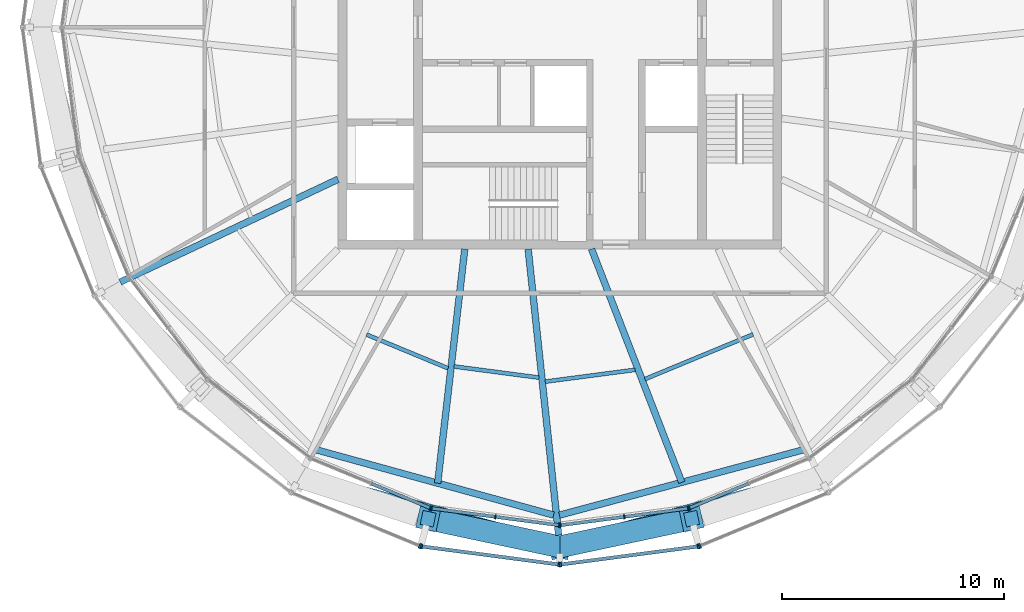
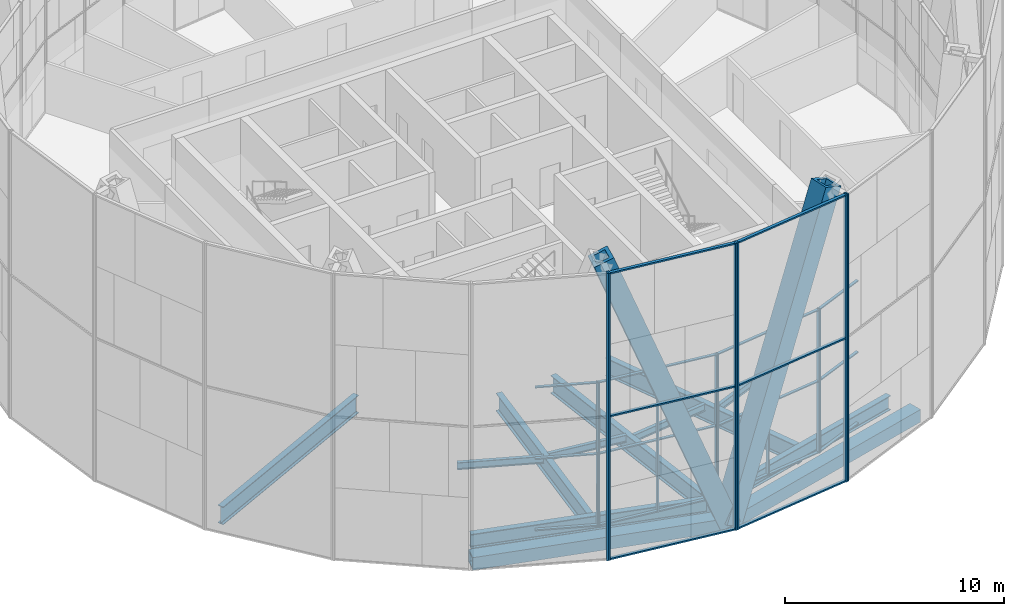
# One storey, part 2 of 22: 40 members, 12 beams, 8 elements without a shape of their own.
"""IFC4 building model written with IfcOpenShell, lengths in metres."""

import ifcopenshell
import ifcopenshell.guid

model = None  # the IFC model being written
_history = None  # IfcOwnerHistory: only IFC2X3 demands one
_inside = {}  # id of a spatial element -> (the spatial element, [elements in it])
_under = {}  # id of a project, library or spatial element -> (it, [spatial elements below it])
_declared = {}  # id of a project -> (the project, [libraries it declares])
_typed = {}  # id of a type object -> (the type object, [elements of that type])
_made_of = {}  # id of a material, layer set ... -> (it, [elements and type objects made of it])


def new_model(schema):
    """Start an empty IFC model of exactly this schema.

    Asked for "IFC4X3", IfcOpenShell would pick the latest addendum, in which some entities
    have other attributes; the version numbers below select the first issue.
    IFC2X3 requires an IfcOwnerHistory on every rooted entity: one is made here for all.
    """
    global model, _history
    if schema == "IFC4X3":
        model = ifcopenshell.file(schema_version=(4, 3, 0, 0))
    else:
        model = ifcopenshell.file(schema=schema)
    _inside.clear()
    _under.clear()
    _declared.clear()
    _typed.clear()
    _made_of.clear()
    _history = None
    if model.schema == "IFC2X3":
        org = make("IfcOrganization", Name="unknown")
        user = make(
            "IfcPersonAndOrganization",
            ThePerson=make("IfcPerson", FamilyName="unknown"),
            TheOrganization=org,
        )
        app = make(
            "IfcApplication",
            ApplicationDeveloper=org,
            Version="unknown",
            ApplicationFullName="unknown",
            ApplicationIdentifier="unknown",
        )
        _history = make(
            "IfcOwnerHistory",
            OwningUser=user,
            OwningApplication=app,
            ChangeAction="ADDED",
            CreationDate=0,
        )
    return model


def make(cls, **values):
    """One entity of the class cls with the attributes given. An attribute that is None is left unset."""
    return model.create_entity(
        cls, **{name: value for name, value in values.items() if value is not None}
    )


def rooted(cls, **values):
    """An entity with a GlobalId (a new one), such as an element, a storey or a relation."""
    return make(cls, GlobalId=ifcopenshell.guid.new(), OwnerHistory=_history, **values)


def si_unit(unit_type, name, prefix=None):
    """IfcSIUnit, for example si_unit("LENGTHUNIT", "METRE", prefix="MILLI")."""
    return make("IfcSIUnit", UnitType=unit_type, Prefix=prefix, Name=name)


def assignment(units):
    """IfcUnitAssignment: the units of a project."""
    return None if units is None else make("IfcUnitAssignment", Units=units)


def point(xyz):
    """IfcCartesianPoint."""
    return None if xyz is None else make("IfcCartesianPoint", Coordinates=xyz)


def direction(xyz):
    """IfcDirection."""
    return None if xyz is None else make("IfcDirection", DirectionRatios=xyz)


def frame(location, z_axis=None, x_axis=None):
    """IfcAxis2Placement3D, a coordinate frame: its origin and axes. An axis left out is left unset."""
    return make(
        "IfcAxis2Placement3D",
        Location=point(location),
        Axis=direction(z_axis),
        RefDirection=direction(x_axis),
    )


def frame_2d(location, x_axis=None):
    """IfcAxis2Placement2D, a coordinate frame in the plane: its origin and x axis."""
    return make(
        "IfcAxis2Placement2D", Location=point(location), RefDirection=direction(x_axis)
    )


def origin():
    """The frame at (0, 0, 0) with its axes left unset."""
    return frame((0.0, 0.0, 0.0))


def origin_2d():
    """The frame at (0, 0) in the plane with its x axis left unset."""
    return frame_2d((0.0, 0.0))


def place(relative_to, where):
    """IfcLocalPlacement: puts the frame where relative to a parent placement (None: the world)."""
    return make(
        "IfcLocalPlacement", PlacementRelTo=relative_to, RelativePlacement=where
    )


def context(
    kind, dimensions, precision=None, world=None, true_north=None, identifier=None
):
    """IfcGeometricRepresentationContext, for example the 3D "Model" context."""
    return make(
        "IfcGeometricRepresentationContext",
        ContextIdentifier=identifier,
        ContextType=kind,
        CoordinateSpaceDimension=dimensions,
        Precision=precision,
        WorldCoordinateSystem=world,
        TrueNorth=true_north,
    )


def subcontext(parent, identifier, kind, view, scale=None):
    """IfcGeometricRepresentationSubContext, for example "Body" below "Model"."""
    return make(
        "IfcGeometricRepresentationSubContext",
        ContextIdentifier=identifier,
        ContextType=kind,
        ParentContext=parent,
        TargetScale=scale,
        TargetView=view,
    )


def project(units=None, contexts=None):
    """IfcProject with its units and contexts."""
    return rooted(
        "IfcProject",
        Name="project",
        RepresentationContexts=contexts,
        UnitsInContext=assignment(units),
    )


def spatial(cls, under=None, at=None, **own):
    """A site, building, storey or space (cls), placed at a placement, below another one or the project."""
    s = rooted(cls, ObjectPlacement=at, **own)
    if under is not None:
        _under.setdefault(under.id(), (under, []))[1].append(s)
    return s


def profile(cls, at=None, kind="AREA", **sizes):
    """A parametric profile (cls). Its sizes go by their IFC names, for example OverallWidth=200.0."""
    return make(cls, ProfileType=kind, Position=at, **sizes)


def rectangle(**sizes):
    """IfcRectangleProfileDef."""
    return profile("IfcRectangleProfileDef", **sizes)


def hollow_rectangle(**sizes):
    """IfcRectangleHollowProfileDef."""
    return profile("IfcRectangleHollowProfileDef", **sizes)


def i_section(**sizes):
    """IfcIShapeProfileDef."""
    return profile("IfcIShapeProfileDef", **sizes)


def extrude(swept, where, along, depth):
    """IfcExtrudedAreaSolid: the profile swept, set in the frame where, extruded along a direction by depth."""
    return make(
        "IfcExtrudedAreaSolid",
        SweptArea=swept,
        Position=where,
        ExtrudedDirection=direction(along),
        Depth=depth,
    )


def shape(context_of_items, identifier, shape_type, items):
    """IfcShapeRepresentation: the items that make up one representation, for example the "Body"."""
    return make(
        "IfcShapeRepresentation",
        ContextOfItems=context_of_items,
        RepresentationIdentifier=identifier,
        RepresentationType=shape_type,
        Items=items,
    )


def material(Name=None, Category=None):
    """IfcMaterial."""
    return make("IfcMaterial", Name=Name, Category=Category)


def material_profile(
    of_material, cross_section, Name=None, Category=None, Priority=None
):
    """IfcMaterialProfile: a cross section and its material."""
    return make(
        "IfcMaterialProfile",
        Name=Name,
        Material=of_material,
        Profile=cross_section,
        Priority=Priority,
        Category=Category,
    )


def profile_set(profiles, Name=None, composite=None):
    """IfcMaterialProfileSet."""
    return make(
        "IfcMaterialProfileSet",
        Name=Name,
        MaterialProfiles=profiles,
        CompositeProfile=composite,
    )


def made_of(thing, what):
    """Note that an element or type object is made of a material, layer set ...; save() writes the relation."""
    if what is not None:
        _made_of.setdefault(what.id(), (what, []))[1].append(thing)
    return thing


def type_object(cls, material=None, **own):
    """A type object (cls), such as IfcWallType, which elements share."""
    return made_of(rooted(cls, **own), material)


def element(
    cls,
    number,
    at=None,
    inside=None,
    cuts=None,
    type_object=None,
    material=None,
    context=None,
    identifier="Body",
    shape_type=None,
    held_by="IfcProductDefinitionShape",
    body=None,
    shapes=None,
    **own,
):
    """One element of the class cls, such as IfcWall. Its Tag is "e" and its number.

    at: its placement. inside: the storey or other place that contains it. cuts: it is an
    opening in that element (IfcRelVoidsElement). A single representation is given by context,
    identifier, shape_type and body (its items); several are given by shapes. held_by: the class
    of the entity that holds the representations. save() writes the other relations.
    """
    e = rooted(cls, Tag="e%d" % number, ObjectPlacement=at, **own)
    if body is not None:
        shapes = [shape(context, identifier, shape_type, body)]
    if shapes is not None:
        e.Representation = make(held_by, Representations=shapes)
    if inside is not None:
        _inside.setdefault(inside.id(), (inside, []))[1].append(e)
    if cuts is not None:
        rooted(
            "IfcRelVoidsElement", RelatingBuildingElement=cuts, RelatedOpeningElement=e
        )
    if type_object is not None:
        _typed.setdefault(type_object.id(), (type_object, []))[1].append(e)
    return made_of(e, material)


def aggregate(whole, parts):
    """IfcRelAggregates: a whole, such as a stair, and the parts it consists of."""
    return rooted("IfcRelAggregates", RelatingObject=whole, RelatedObjects=parts)


def save(model, path):
    """Write the relations noted so far, then the file.

    IfcRelAggregates (storeys below a building ...), IfcRelContainedInSpatialStructure (elements
    in a storey), IfcRelDefinesByType, IfcRelAssociatesMaterial and IfcRelDeclares: one each for
    every whole, place, type object, material and project.
    """
    for whole, parts in _under.values():
        aggregate(whole, parts)
    for where, things in _inside.values():
        rooted(
            "IfcRelContainedInSpatialStructure",
            RelatedElements=things,
            RelatingStructure=where,
        )
    for kind, things in _typed.values():
        rooted("IfcRelDefinesByType", RelatedObjects=things, RelatingType=kind)
    for what, things in _made_of.values():
        rooted("IfcRelAssociatesMaterial", RelatedObjects=things, RelatingMaterial=what)
    for by, libraries in _declared.values():
        rooted("IfcRelDeclares", RelatingContext=by, RelatedDefinitions=libraries)
    model.write(path)


model = new_model("IFC4")

# Units and contexts
model_context = context("Model", 3, precision=1e-05, world=origin(), true_north=direction((0.0, 1.0)))
body_context = subcontext(model_context, "Body", "Model", "MODEL_VIEW")
ifc_project = project(units=[si_unit("LENGTHUNIT", "METRE"), si_unit("AREAUNIT", "SQUARE_METRE"), si_unit("VOLUMEUNIT", "CUBIC_METRE"), si_unit("PLANEANGLEUNIT", "RADIAN"), si_unit("MASSUNIT", "GRAM", prefix="KILO")], contexts=[model_context])

# Site, building, storey
site_placement = place(None, origin())
site = spatial("IfcSite", under=ifc_project, at=site_placement, CompositionType="ELEMENT")
building_placement = place(site_placement, origin())
building = spatial("IfcBuilding", under=site, at=building_placement, Name="Golbaran Civic Tower", CompositionType="ELEMENT")
storey_placement = place(building_placement, frame((0.0, 0.0, 248.0)))
storey = spatial("IfcBuildingStorey", under=building, at=storey_placement, Name="L60", CompositionType="ELEMENT", Elevation=248.0)

# Members
ifc_material_1 = material(Name="Steel S355", Category="steel")
ifc_material_profile_1 = material_profile(ifc_material_1, hollow_rectangle(XDim=1.0, YDim=1.0, WallThickness=0.179931640625, at=origin_2d()), Name="BOX 1000x1000x180")
ifc_profile_set_1 = profile_set([ifc_material_profile_1], Name="Steel S355")
member_type_1 = type_object("IfcMemberType", Name="DIAGRID DIAGONAL BOX 1000x1000x180", PredefinedType="BRACE", material=ifc_profile_set_1)
for number, where, z_axis, x_axis, name in (
    (1, (0.0, -23.423095703125, -0.7099609375), (0.346918780994, 0.07401466611, 0.934970153852), (-0.208652833004, 0.977989772584, 0.0), "Diagonal D14-09R L60-L64"),
    (2, (0.0, -23.423095703125, -0.7099609375), (-0.346918780994, 0.07401466611, 0.934970153852), (-0.208652833004, -0.977989772584, 0.0), "Diagonal D14-09L L60-L64"),
):
    element("IfcMember", number, at=place(storey_placement, frame(where, z_axis=z_axis, x_axis=x_axis)), inside=storey, type_object=member_type_1, Name=name, PredefinedType="BRACE", context=body_context, shape_type="SweptSolid", body=[
        extrude(hollow_rectangle(XDim=1.0, YDim=1.0, WallThickness=0.179931640625, at=origin_2d()), origin(), (0.0, 0.0, 1.0), 17.11279296875),
    ])

# Beams
ifc_material_profile_2 = material_profile(ifc_material_1, hollow_rectangle(XDim=0.699951171875, YDim=0.699951171875, WallThickness=0.080078125, at=origin_2d()), Name="BOX 700x700x80")
ifc_profile_set_2 = profile_set([ifc_material_profile_2], Name="Steel S355")
beam_type_1 = type_object("IfcBeamType", Name="DIAGRID RING TIE BOX 700x700x80", PredefinedType="BEAM", material=ifc_profile_set_2)
for number, where, z_axis, x_axis, name in (
    (3, (-11.71142578125, -20.284912109375, -0.7099609375), (0.965923423827, -0.258828011046, 0.0), (0.258828011046, 0.965923423827, 0.0), "Ring tie 240.00 L60"),
    (4, (0.0, -23.423095703125, -0.7099609375), (0.965923423827, 0.258828011046, 0.0), (-0.258828011046, 0.965923423827, 0.0), "Ring tie 270.00 L60"),
):
    element("IfcBeam", number, at=place(storey_placement, frame(where, z_axis=z_axis, x_axis=x_axis)), inside=storey, type_object=beam_type_1, Name=name, PredefinedType="BEAM", context=body_context, shape_type="SweptSolid", body=[
        extrude(hollow_rectangle(XDim=0.699951171875, YDim=0.699951171875, WallThickness=0.080078125, at=origin_2d()), origin(), (0.0, 0.0, 1.0), 12.12451171875),
    ])
ifc_material_profile_3 = material_profile(ifc_material_1, i_section(OverallWidth=0.300048828125, OverallDepth=0.800048828125, WebThickness=0.017578125, FlangeThickness=0.032958984375, FilletRadius=0.030029296875, at=origin_2d()), Name="HEB 800")
ifc_profile_set_3 = profile_set([ifc_material_profile_3], Name="Steel S355")
beam_type_2 = type_object("IfcBeamType", Name="EDGE BEAM HEB 800", PredefinedType="BEAM", material=ifc_profile_set_3)
beam_1_placement = place(storey_placement, frame((-11.015869140625, -19.0390625, -0.60009765625), z_axis=(0.964163607289, -0.265308383544, 0.0), x_axis=(0.265308383544, 0.964163607289, 0.0)))
element("IfcBeam", 5, at=beam_1_placement, inside=storey, type_object=beam_type_2, Name="Edge beam 240.00 L60", PredefinedType="BEAM", context=body_context, shape_type="SweptSolid", body=[
    extrude(i_section(OverallWidth=0.300048828125, OverallDepth=0.800048828125, WebThickness=0.017578125, FlangeThickness=0.032958984375, FilletRadius=0.030029296875, at=origin_2d()), origin(), (0.0, 0.0, 1.0), 11.1318359375),
])
beam_2_placement = place(storey_placement, frame((-0.021240234375, -21.995361328125, -0.60009765625), z_axis=(0.965930693555, 0.258800879537, 0.0), x_axis=(-0.258800879537, 0.965930693555, 0.0)))
element("IfcBeam", 6, at=beam_2_placement, inside=storey, type_object=beam_type_2, Name="Edge beam 270.00 L60", PredefinedType="BEAM", context=body_context, shape_type="SweptSolid", body=[
    extrude(i_section(OverallWidth=0.300048828125, OverallDepth=0.800048828125, WebThickness=0.017578125, FlangeThickness=0.032958984375, FilletRadius=0.030029296875, at=origin_2d()), origin(), (0.0, 0.0, 1.0), 11.42578125),
])
ifc_material_profile_4 = material_profile(ifc_material_1, i_section(OverallWidth=0.179931640625, OverallDepth=0.39990234375, WebThickness=0.008544921875, FlangeThickness=0.013427734375, FilletRadius=0.02099609375, at=origin_2d()), Name="IPE 400")
ifc_profile_set_4 = profile_set([ifc_material_profile_4], Name="Steel S355")
beam_type_3 = type_object("IfcBeamType", Name="FLOOR INFILL BEAM IPE 400", PredefinedType="BEAM", material=ifc_profile_set_4)
beam_3_placement = place(storey_placement, frame((-8.712890625, -13.8544921875, -0.39990234375), z_axis=(0.923881392468, -0.382678942002, 0.0), x_axis=(0.382678942002, 0.923881392468, 0.0)))
element("IfcBeam", 7, at=beam_3_placement, inside=storey, type_object=beam_type_3, Name="Infill beam 247.50 L60", PredefinedType="BEAM", context=body_context, shape_type="SweptSolid", body=[
    extrude(i_section(OverallWidth=0.179931640625, OverallDepth=0.39990234375, WebThickness=0.008544921875, FlangeThickness=0.013427734375, FilletRadius=0.02099609375, at=origin_2d()), origin(), (0.0, 0.0, 1.0), 3.9765625),
])
beam_4_placement = place(storey_placement, frame((-4.767578125, -15.29296875, -0.39990234375), z_axis=(0.991450849113, -0.130480702762, 0.0), x_axis=(0.130480702762, 0.991450849113, 0.0)))
element("IfcBeam", 8, at=beam_4_placement, inside=storey, type_object=beam_type_3, Name="Infill beam 262.50 L60", PredefinedType="BEAM", context=body_context, shape_type="SweptSolid", body=[
    extrude(i_section(OverallWidth=0.179931640625, OverallDepth=0.39990234375, WebThickness=0.008544921875, FlangeThickness=0.013427734375, FilletRadius=0.02099609375, at=origin_2d()), origin(), (0.0, 0.0, 1.0), 3.858154296875),
])
beam_5_placement = place(storey_placement, frame((-0.66162109375, -15.97802734375, -0.39990234375), z_axis=(0.991443326473, 0.130537850423, 0.0), x_axis=(-0.130537850423, 0.991443326473, 0.0)))
element("IfcBeam", 9, at=beam_5_placement, inside=storey, type_object=beam_type_3, Name="Infill beam 277.50 L60", PredefinedType="BEAM", context=body_context, shape_type="SweptSolid", body=[
    extrude(i_section(OverallWidth=0.179931640625, OverallDepth=0.39990234375, WebThickness=0.008544921875, FlangeThickness=0.013427734375, FilletRadius=0.02099609375, at=origin_2d()), origin(), (0.0, 0.0, 1.0), 4.092041015625),
])
beam_6_placement = place(storey_placement, frame((3.83642578125, -15.86328125, -0.39990234375), z_axis=(0.92388706237, 0.382665253172, 0.0), x_axis=(-0.382665253172, 0.92388706237, 0.0)))
element("IfcBeam", 10, at=beam_6_placement, inside=storey, type_object=beam_type_3, Name="Infill beam 292.50 L60", PredefinedType="BEAM", context=body_context, shape_type="SweptSolid", body=[
    extrude(i_section(OverallWidth=0.179931640625, OverallDepth=0.39990234375, WebThickness=0.008544921875, FlangeThickness=0.013427734375, FilletRadius=0.02099609375, at=origin_2d()), origin(), (0.0, 0.0, 1.0), 5.273681640625),
])

# Curtain wall, member
ifc_material_2 = material(Name="Aluminium and glass", Category="aluminium")
curtain_wall_type_1 = type_object("IfcCurtainWallType", Name="INNER SKIN CURTAIN WALL EXECUTIVE", PredefinedType="NOTDEFINED", material=ifc_material_2)
curtain_wall_1_placement = place(storey_placement, origin())
curtain_wall_1 = element("IfcCurtainWall", 11, at=curtain_wall_1_placement, inside=storey, type_object=curtain_wall_type_1, Name="Inner skin L60 facet 17 CW2", ObjectType="INNER SKIN", PredefinedType="USERDEFINED")
ifc_material_3 = material(Name="Aluminium", Category="aluminium")
ifc_material_profile_5 = material_profile(ifc_material_3, rectangle(XDim=0.199951171875, YDim=0.06005859375, at=origin_2d()), Name="INNER SKIN CURTAIN WALL EXECUTIVE MULLION")
ifc_profile_set_5 = profile_set([ifc_material_profile_5], Name="Aluminium")
member_type_2 = type_object("IfcMemberType", Name="INNER SKIN CURTAIN WALL EXECUTIVE MULLION", PredefinedType="MULLION", material=ifc_profile_set_5)
member_1_placement = place(storey_placement, frame((-5.838623046875, -21.675537109375, 0.0), z_axis=(0.0, 0.0, 1.0), x_axis=(0.382683432381, 0.923879532505, 0.0)))
member_1 = element("IfcMember", 12, at=member_1_placement, type_object=member_type_2, Name="CW2 mullion 3", PredefinedType="MULLION", context=body_context, shape_type="SweptSolid", body=[
    extrude(rectangle(XDim=0.199951171875, YDim=0.06005859375, at=origin_2d()), origin(), (0.0, 0.0, 1.0), 8.0),
])

# Curtain wall, members
curtain_wall_2_placement = place(storey_placement, origin())
curtain_wall_2 = element("IfcCurtainWall", 13, at=curtain_wall_2_placement, inside=storey, type_object=curtain_wall_type_1, Name="Inner skin L60 facet 18 CW2", ObjectType="INNER SKIN", PredefinedType="USERDEFINED")
member_2_placement = place(storey_placement, frame((-5.78125, -21.69091796875, 0.0), z_axis=(0.0, 0.0, 1.0), x_axis=(0.130526192185, 0.991444861378, 0.0)))
member_2 = element("IfcMember", 14, at=member_2_placement, type_object=member_type_2, Name="CW2 mullion 1", PredefinedType="MULLION", context=body_context, shape_type="SweptSolid", body=[
    extrude(rectangle(XDim=0.199951171875, YDim=0.06005859375, at=origin_2d()), origin(), (0.0, 0.0, 1.0), 8.0),
])
member_3_placement = place(storey_placement, frame((-2.905517578125, -22.069580078125, 0.0), z_axis=(0.0, 0.0, 1.0), x_axis=(0.130526192185, 0.991444861378, 0.0)))
member_3 = element("IfcMember", 15, at=member_3_placement, type_object=member_type_2, Name="CW2 mullion 2", PredefinedType="MULLION", context=body_context, shape_type="SweptSolid", body=[
    extrude(rectangle(XDim=0.199951171875, YDim=0.06005859375, at=origin_2d()), origin(), (0.0, 0.0, 1.0), 8.0),
])
member_4_placement = place(storey_placement, frame((-0.02978515625, -22.447998046875, 0.0), z_axis=(0.0, 0.0, 1.0), x_axis=(0.130526192185, 0.991444861378, 0.0)))
member_4 = element("IfcMember", 16, at=member_4_placement, type_object=member_type_2, Name="CW2 mullion 3", PredefinedType="MULLION", context=body_context, shape_type="SweptSolid", body=[
    extrude(rectangle(XDim=0.199951171875, YDim=0.06005859375, at=origin_2d()), origin(), (0.0, 0.0, 1.0), 8.0),
])

curtain_wall_3_placement = place(storey_placement, origin())
curtain_wall_3 = element("IfcCurtainWall", 17, at=curtain_wall_3_placement, inside=storey, type_object=curtain_wall_type_1, Name="Inner skin L60 facet 19 CW2", ObjectType="INNER SKIN", PredefinedType="USERDEFINED")
member_5_placement = place(storey_placement, frame((0.02978515625, -22.447998046875, 0.0), z_axis=(0.0, 0.0, 1.0), x_axis=(-0.130526192185, 0.991444861378, 0.0)))
member_5 = element("IfcMember", 18, at=member_5_placement, type_object=member_type_2, Name="CW2 mullion 1", PredefinedType="MULLION", context=body_context, shape_type="SweptSolid", body=[
    extrude(rectangle(XDim=0.199951171875, YDim=0.06005859375, at=origin_2d()), origin(), (0.0, 0.0, 1.0), 8.0),
])
member_6_placement = place(storey_placement, frame((2.905517578125, -22.069580078125, 0.0), z_axis=(0.0, 0.0, 1.0), x_axis=(-0.130526192185, 0.991444861378, 0.0)))
member_6 = element("IfcMember", 19, at=member_6_placement, type_object=member_type_2, Name="CW2 mullion 2", PredefinedType="MULLION", context=body_context, shape_type="SweptSolid", body=[
    extrude(rectangle(XDim=0.199951171875, YDim=0.06005859375, at=origin_2d()), origin(), (0.0, 0.0, 1.0), 8.0),
])
member_7_placement = place(storey_placement, frame((5.78125, -21.69091796875, 0.0), z_axis=(0.0, 0.0, 1.0), x_axis=(-0.130526192185, 0.991444861378, 0.0)))
member_7 = element("IfcMember", 20, at=member_7_placement, type_object=member_type_2, Name="CW2 mullion 3", PredefinedType="MULLION", context=body_context, shape_type="SweptSolid", body=[
    extrude(rectangle(XDim=0.199951171875, YDim=0.06005859375, at=origin_2d()), origin(), (0.0, 0.0, 1.0), 8.0),
])

# Curtain wall, member
curtain_wall_4_placement = place(storey_placement, origin())
curtain_wall_4 = element("IfcCurtainWall", 21, at=curtain_wall_4_placement, inside=storey, type_object=curtain_wall_type_1, Name="Inner skin L60 facet 20 CW2", ObjectType="INNER SKIN", PredefinedType="USERDEFINED")
member_8_placement = place(storey_placement, frame((5.838623046875, -21.675537109375, 0.0), z_axis=(0.0, 0.0, 1.0), x_axis=(-0.382683432381, 0.923879532505, 0.0)))
member_8 = element("IfcMember", 22, at=member_8_placement, type_object=member_type_2, Name="CW2 mullion 1", PredefinedType="MULLION", context=body_context, shape_type="SweptSolid", body=[
    extrude(rectangle(XDim=0.199951171875, YDim=0.06005859375, at=origin_2d()), origin(), (0.0, 0.0, 1.0), 8.0),
])

# Member
ifc_material_profile_6 = material_profile(ifc_material_3, rectangle(XDim=0.14990234375, YDim=0.06005859375, at=origin_2d()), Name="INNER SKIN CURTAIN WALL EXECUTIVE TRANSOM")
ifc_profile_set_6 = profile_set([ifc_material_profile_6], Name="Aluminium")
member_type_3 = type_object("IfcMemberType", Name="INNER SKIN CURTAIN WALL EXECUTIVE TRANSOM", PredefinedType="USERDEFINED", material=ifc_profile_set_6)
member_9_placement = place(storey_placement, frame((-8.49072265625, -20.576904296875, 0.030029296875), z_axis=(0.923860739284, -0.382728800078, 0.0), x_axis=(0.382728800078, 0.923860739284, 0.0)))
member_9 = element("IfcMember", 23, at=member_9_placement, type_object=member_type_3, Name="CW2 transom 2.1", ObjectType="TRANSOM", PredefinedType="USERDEFINED", context=body_context, shape_type="SweptSolid", body=[
    extrude(rectangle(XDim=0.14990234375, YDim=0.06005859375, at=origin_2d()), origin(), (0.0, 0.0, 1.0), 2.840576171875),
])

member_10_placement = place(storey_placement, frame((-8.49072265625, -20.576904296875, 4.0), z_axis=(0.923860739284, -0.382728800078, 0.0), x_axis=(0.382728800078, 0.923860739284, 0.0)))
member_10 = element("IfcMember", 24, at=member_10_placement, type_object=member_type_3, Name="CW2 transom 2.2", ObjectType="TRANSOM", PredefinedType="USERDEFINED", context=body_context, shape_type="SweptSolid", body=[
    extrude(rectangle(XDim=0.14990234375, YDim=0.06005859375, at=origin_2d()), origin(), (0.0, 0.0, 1.0), 2.840576171875),
])

member_11_placement = place(storey_placement, frame((-8.49072265625, -20.576904296875, 7.969970703125), z_axis=(0.923860739284, -0.382728800078, 0.0), x_axis=(0.382728800078, 0.923860739284, 0.0)))
member_11 = element("IfcMember", 25, at=member_11_placement, type_object=member_type_3, Name="CW2 transom 2.3", ObjectType="TRANSOM", PredefinedType="USERDEFINED", context=body_context, shape_type="SweptSolid", body=[
    extrude(rectangle(XDim=0.14990234375, YDim=0.06005859375, at=origin_2d()), origin(), (0.0, 0.0, 1.0), 2.840576171875),
])

aggregate(curtain_wall_1, [member_1, member_9, member_10, member_11])

member_12_placement = place(storey_placement, frame((-5.75146484375, -21.69482421875, 0.030029296875), z_axis=(0.991440540275, -0.130559010028, 0.0), x_axis=(0.130559010028, 0.991440540275, 0.0)))
member_12 = element("IfcMember", 26, at=member_12_placement, type_object=member_type_3, Name="CW2 transom 1.1", ObjectType="TRANSOM", PredefinedType="USERDEFINED", context=body_context, shape_type="SweptSolid", body=[
    extrude(rectangle(XDim=0.14990234375, YDim=0.06005859375, at=origin_2d()), origin(), (0.0, 0.0, 1.0), 2.840576171875),
])

member_13_placement = place(storey_placement, frame((-5.75146484375, -21.69482421875, 4.0), z_axis=(0.991440540275, -0.130559010028, 0.0), x_axis=(0.130559010028, 0.991440540275, 0.0)))
member_13 = element("IfcMember", 27, at=member_13_placement, type_object=member_type_3, Name="CW2 transom 1.2", ObjectType="TRANSOM", PredefinedType="USERDEFINED", context=body_context, shape_type="SweptSolid", body=[
    extrude(rectangle(XDim=0.14990234375, YDim=0.06005859375, at=origin_2d()), origin(), (0.0, 0.0, 1.0), 2.840576171875),
])

member_14_placement = place(storey_placement, frame((-5.75146484375, -21.69482421875, 7.969970703125), z_axis=(0.991440540275, -0.130559010028, 0.0), x_axis=(0.130559010028, 0.991440540275, 0.0)))
member_14 = element("IfcMember", 28, at=member_14_placement, type_object=member_type_3, Name="CW2 transom 1.3", ObjectType="TRANSOM", PredefinedType="USERDEFINED", context=body_context, shape_type="SweptSolid", body=[
    extrude(rectangle(XDim=0.14990234375, YDim=0.06005859375, at=origin_2d()), origin(), (0.0, 0.0, 1.0), 2.840576171875),
])

member_15_placement = place(storey_placement, frame((-2.875732421875, -22.073486328125, 0.030029296875), z_axis=(0.991451662378, -0.130474523059, 0.0), x_axis=(0.130474523059, 0.991451662378, 0.0)))
member_15 = element("IfcMember", 29, at=member_15_placement, type_object=member_type_3, Name="CW2 transom 2.1", ObjectType="TRANSOM", PredefinedType="USERDEFINED", context=body_context, shape_type="SweptSolid", body=[
    extrude(rectangle(XDim=0.14990234375, YDim=0.06005859375, at=origin_2d()), origin(), (0.0, 0.0, 1.0), 2.84033203125),
])

member_16_placement = place(storey_placement, frame((-2.875732421875, -22.073486328125, 4.0), z_axis=(0.991451662378, -0.130474523059, 0.0), x_axis=(0.130474523059, 0.991451662378, 0.0)))
member_16 = element("IfcMember", 30, at=member_16_placement, type_object=member_type_3, Name="CW2 transom 2.2", ObjectType="TRANSOM", PredefinedType="USERDEFINED", context=body_context, shape_type="SweptSolid", body=[
    extrude(rectangle(XDim=0.14990234375, YDim=0.06005859375, at=origin_2d()), origin(), (0.0, 0.0, 1.0), 2.84033203125),
])

member_17_placement = place(storey_placement, frame((-2.875732421875, -22.073486328125, 7.969970703125), z_axis=(0.991451662378, -0.130474523059, 0.0), x_axis=(0.130474523059, 0.991451662378, 0.0)))
member_17 = element("IfcMember", 31, at=member_17_placement, type_object=member_type_3, Name="CW2 transom 2.3", ObjectType="TRANSOM", PredefinedType="USERDEFINED", context=body_context, shape_type="SweptSolid", body=[
    extrude(rectangle(XDim=0.14990234375, YDim=0.06005859375, at=origin_2d()), origin(), (0.0, 0.0, 1.0), 2.84033203125),
])

aggregate(curtain_wall_2, [member_2, member_3, member_4, member_12, member_13, member_14, member_15, member_16, member_17])

member_18_placement = place(storey_placement, frame((0.0595703125, -22.444091796875, 0.030029296875), z_axis=(0.991451662378, 0.130474523059, 0.0), x_axis=(-0.130474523059, 0.991451662378, 0.0)))
member_18 = element("IfcMember", 32, at=member_18_placement, type_object=member_type_3, Name="CW2 transom 1.1", ObjectType="TRANSOM", PredefinedType="USERDEFINED", context=body_context, shape_type="SweptSolid", body=[
    extrude(rectangle(XDim=0.14990234375, YDim=0.06005859375, at=origin_2d()), origin(), (0.0, 0.0, 1.0), 2.84033203125),
])

member_19_placement = place(storey_placement, frame((0.0595703125, -22.444091796875, 4.0), z_axis=(0.991451662378, 0.130474523059, 0.0), x_axis=(-0.130474523059, 0.991451662378, 0.0)))
member_19 = element("IfcMember", 33, at=member_19_placement, type_object=member_type_3, Name="CW2 transom 1.2", ObjectType="TRANSOM", PredefinedType="USERDEFINED", context=body_context, shape_type="SweptSolid", body=[
    extrude(rectangle(XDim=0.14990234375, YDim=0.06005859375, at=origin_2d()), origin(), (0.0, 0.0, 1.0), 2.84033203125),
])

member_20_placement = place(storey_placement, frame((0.0595703125, -22.444091796875, 7.969970703125), z_axis=(0.991451662378, 0.130474523059, 0.0), x_axis=(-0.130474523059, 0.991451662378, 0.0)))
member_20 = element("IfcMember", 34, at=member_20_placement, type_object=member_type_3, Name="CW2 transom 1.3", ObjectType="TRANSOM", PredefinedType="USERDEFINED", context=body_context, shape_type="SweptSolid", body=[
    extrude(rectangle(XDim=0.14990234375, YDim=0.06005859375, at=origin_2d()), origin(), (0.0, 0.0, 1.0), 2.84033203125),
])

member_21_placement = place(storey_placement, frame((2.935302734375, -22.065673828125, 0.030029296875), z_axis=(0.991440540275, 0.130559010028, 0.0), x_axis=(-0.130559010028, 0.991440540275, 0.0)))
member_21 = element("IfcMember", 35, at=member_21_placement, type_object=member_type_3, Name="CW2 transom 2.1", ObjectType="TRANSOM", PredefinedType="USERDEFINED", context=body_context, shape_type="SweptSolid", body=[
    extrude(rectangle(XDim=0.14990234375, YDim=0.06005859375, at=origin_2d()), origin(), (0.0, 0.0, 1.0), 2.840576171875),
])

member_22_placement = place(storey_placement, frame((2.935302734375, -22.065673828125, 4.0), z_axis=(0.991440540275, 0.130559010028, 0.0), x_axis=(-0.130559010028, 0.991440540275, 0.0)))
member_22 = element("IfcMember", 36, at=member_22_placement, type_object=member_type_3, Name="CW2 transom 2.2", ObjectType="TRANSOM", PredefinedType="USERDEFINED", context=body_context, shape_type="SweptSolid", body=[
    extrude(rectangle(XDim=0.14990234375, YDim=0.06005859375, at=origin_2d()), origin(), (0.0, 0.0, 1.0), 2.840576171875),
])

member_23_placement = place(storey_placement, frame((2.935302734375, -22.065673828125, 7.969970703125), z_axis=(0.991440540275, 0.130559010028, 0.0), x_axis=(-0.130559010028, 0.991440540275, 0.0)))
member_23 = element("IfcMember", 37, at=member_23_placement, type_object=member_type_3, Name="CW2 transom 2.3", ObjectType="TRANSOM", PredefinedType="USERDEFINED", context=body_context, shape_type="SweptSolid", body=[
    extrude(rectangle(XDim=0.14990234375, YDim=0.06005859375, at=origin_2d()), origin(), (0.0, 0.0, 1.0), 2.840576171875),
])

aggregate(curtain_wall_3, [member_5, member_6, member_7, member_18, member_19, member_20, member_21, member_22, member_23])

member_24_placement = place(storey_placement, frame((5.866455078125, -21.6640625, 0.030029296875), z_axis=(0.923860739284, 0.382728800078, 0.0), x_axis=(-0.382728800078, 0.923860739284, 0.0)))
member_24 = element("IfcMember", 38, at=member_24_placement, type_object=member_type_3, Name="CW2 transom 1.1", ObjectType="TRANSOM", PredefinedType="USERDEFINED", context=body_context, shape_type="SweptSolid", body=[
    extrude(rectangle(XDim=0.14990234375, YDim=0.06005859375, at=origin_2d()), origin(), (0.0, 0.0, 1.0), 2.840576171875),
])

member_25_placement = place(storey_placement, frame((5.866455078125, -21.6640625, 4.0), z_axis=(0.923860739284, 0.382728800078, 0.0), x_axis=(-0.382728800078, 0.923860739284, 0.0)))
member_25 = element("IfcMember", 39, at=member_25_placement, type_object=member_type_3, Name="CW2 transom 1.2", ObjectType="TRANSOM", PredefinedType="USERDEFINED", context=body_context, shape_type="SweptSolid", body=[
    extrude(rectangle(XDim=0.14990234375, YDim=0.06005859375, at=origin_2d()), origin(), (0.0, 0.0, 1.0), 2.840576171875),
])

member_26_placement = place(storey_placement, frame((5.866455078125, -21.6640625, 7.969970703125), z_axis=(0.923860739284, 0.382728800078, 0.0), x_axis=(-0.382728800078, 0.923860739284, 0.0)))
member_26 = element("IfcMember", 40, at=member_26_placement, type_object=member_type_3, Name="CW2 transom 1.3", ObjectType="TRANSOM", PredefinedType="USERDEFINED", context=body_context, shape_type="SweptSolid", body=[
    extrude(rectangle(XDim=0.14990234375, YDim=0.06005859375, at=origin_2d()), origin(), (0.0, 0.0, 1.0), 2.840576171875),
])

aggregate(curtain_wall_4, [member_8, member_24, member_25, member_26])

# Curtain wall, member
curtain_wall_type_2 = type_object("IfcCurtainWallType", Name="OUTER SKIN TERRACOTTA SCREEN", PredefinedType="NOTDEFINED", material=ifc_material_2)
curtain_wall_5_placement = place(storey_placement, origin())
curtain_wall_5 = element("IfcCurtainWall", 41, at=curtain_wall_5_placement, inside=storey, type_object=curtain_wall_type_2, Name="Outer skin L60 facet 17 CW3", ObjectType="OUTER SKIN", PredefinedType="USERDEFINED")
ifc_material_profile_7 = material_profile(ifc_material_3, rectangle(XDim=0.219970703125, YDim=0.080078125, at=origin_2d()), Name="OUTER SKIN TERRACOTTA SCREEN MULLION")
ifc_profile_set_7 = profile_set([ifc_material_profile_7], Name="Aluminium")
member_type_4 = type_object("IfcMemberType", Name="OUTER SKIN TERRACOTTA SCREEN MULLION", PredefinedType="MULLION", material=ifc_profile_set_7)
member_27_placement = place(storey_placement, frame((-6.306396484375, -23.38232421875, -0.7099609375), z_axis=(0.0, 0.0, 1.0), x_axis=(0.382683432349, 0.923879532518, 0.0)))
member_27 = element("IfcMember", 42, at=member_27_placement, type_object=member_type_4, Name="CW3 mullion 2", PredefinedType="MULLION", context=body_context, shape_type="SweptSolid", body=[
    extrude(rectangle(XDim=0.219970703125, YDim=0.080078125, at=origin_2d()), origin(), (0.0, 0.0, 1.0), 16.0),
])
aggregate(curtain_wall_5, [member_27])

# Curtain wall, members
curtain_wall_6_placement = place(storey_placement, origin())
curtain_wall_6 = element("IfcCurtainWall", 43, at=curtain_wall_6_placement, inside=storey, type_object=curtain_wall_type_2, Name="Outer skin L60 facet 18 CW3", ObjectType="OUTER SKIN", PredefinedType="USERDEFINED")
member_28_placement = place(storey_placement, frame((-6.229736328125, -23.40283203125, -0.7099609375), z_axis=(0.0, 0.0, 1.0), x_axis=(0.130526192237, 0.991444861372, 0.0)))
member_28 = element("IfcMember", 44, at=member_28_placement, type_object=member_type_4, Name="CW3 mullion 1", PredefinedType="MULLION", context=body_context, shape_type="SweptSolid", body=[
    extrude(rectangle(XDim=0.219970703125, YDim=0.080078125, at=origin_2d()), origin(), (0.0, 0.0, 1.0), 16.0),
])
member_29_placement = place(storey_placement, frame((-0.03955078125, -24.2177734375, -0.7099609375), z_axis=(0.0, 0.0, 1.0), x_axis=(0.130526192237, 0.991444861372, 0.0)))
member_29 = element("IfcMember", 45, at=member_29_placement, type_object=member_type_4, Name="CW3 mullion 2", PredefinedType="MULLION", context=body_context, shape_type="SweptSolid", body=[
    extrude(rectangle(XDim=0.219970703125, YDim=0.080078125, at=origin_2d()), origin(), (0.0, 0.0, 1.0), 16.0),
])

curtain_wall_7_placement = place(storey_placement, origin())
curtain_wall_7 = element("IfcCurtainWall", 46, at=curtain_wall_7_placement, inside=storey, type_object=curtain_wall_type_2, Name="Outer skin L60 facet 19 CW3", ObjectType="OUTER SKIN", PredefinedType="USERDEFINED")
member_30_placement = place(storey_placement, frame((0.03955078125, -24.2177734375, -0.7099609375), z_axis=(0.0, 0.0, 1.0), x_axis=(-0.130526192237, 0.991444861372, 0.0)))
member_30 = element("IfcMember", 47, at=member_30_placement, type_object=member_type_4, Name="CW3 mullion 1", PredefinedType="MULLION", context=body_context, shape_type="SweptSolid", body=[
    extrude(rectangle(XDim=0.219970703125, YDim=0.080078125, at=origin_2d()), origin(), (0.0, 0.0, 1.0), 16.0),
])
member_31_placement = place(storey_placement, frame((6.229736328125, -23.40283203125, -0.7099609375), z_axis=(0.0, 0.0, 1.0), x_axis=(-0.130526192237, 0.991444861372, 0.0)))
member_31 = element("IfcMember", 48, at=member_31_placement, type_object=member_type_4, Name="CW3 mullion 2", PredefinedType="MULLION", context=body_context, shape_type="SweptSolid", body=[
    extrude(rectangle(XDim=0.219970703125, YDim=0.080078125, at=origin_2d()), origin(), (0.0, 0.0, 1.0), 16.0),
])

# Curtain wall, member
curtain_wall_8_placement = place(storey_placement, origin())
curtain_wall_8 = element("IfcCurtainWall", 49, at=curtain_wall_8_placement, inside=storey, type_object=curtain_wall_type_2, Name="Outer skin L60 facet 20 CW3", ObjectType="OUTER SKIN", PredefinedType="USERDEFINED")
member_32_placement = place(storey_placement, frame((6.306396484375, -23.38232421875, -0.7099609375), z_axis=(0.0, 0.0, 1.0), x_axis=(-0.382683432349, 0.923879532518, 0.0)))
member_32 = element("IfcMember", 50, at=member_32_placement, type_object=member_type_4, Name="CW3 mullion 1", PredefinedType="MULLION", context=body_context, shape_type="SweptSolid", body=[
    extrude(rectangle(XDim=0.219970703125, YDim=0.080078125, at=origin_2d()), origin(), (0.0, 0.0, 1.0), 16.0),
])
aggregate(curtain_wall_8, [member_32])

# Member
ifc_material_profile_8 = material_profile(ifc_material_3, rectangle(XDim=0.159912109375, YDim=0.080078125, at=origin_2d()), Name="OUTER SKIN TERRACOTTA SCREEN TRANSOM")
ifc_profile_set_8 = profile_set([ifc_material_profile_8], Name="Aluminium")
member_type_5 = type_object("IfcMemberType", Name="OUTER SKIN TERRACOTTA SCREEN TRANSOM", PredefinedType="USERDEFINED", material=ifc_profile_set_8)
member_33_placement = place(storey_placement, frame((-6.18994140625, -23.407958984375, -0.669921875), z_axis=(0.991440402921, -0.13056005306, 0.0), x_axis=(0.13056005306, 0.991440402921, 0.0)))
member_33 = element("IfcMember", 51, at=member_33_placement, type_object=member_type_5, Name="CW3 transom 1.1", ObjectType="TRANSOM", PredefinedType="USERDEFINED", context=body_context, shape_type="SweptSolid", body=[
    extrude(rectangle(XDim=0.159912109375, YDim=0.080078125, at=origin_2d()), origin(), (0.0, 0.0, 1.0), 6.163330078125),
])

member_34_placement = place(storey_placement, frame((-6.18994140625, -23.407958984375, 7.2900390625), z_axis=(0.991440402921, -0.13056005306, 0.0), x_axis=(0.13056005306, 0.991440402921, 0.0)))
member_34 = element("IfcMember", 52, at=member_34_placement, type_object=member_type_5, Name="CW3 transom 1.2", ObjectType="TRANSOM", PredefinedType="USERDEFINED", context=body_context, shape_type="SweptSolid", body=[
    extrude(rectangle(XDim=0.159912109375, YDim=0.080078125, at=origin_2d()), origin(), (0.0, 0.0, 1.0), 6.163330078125),
])

member_35_placement = place(storey_placement, frame((-6.18994140625, -23.407958984375, 15.25), z_axis=(0.991440402921, -0.13056005306, 0.0), x_axis=(0.13056005306, 0.991440402921, 0.0)))
member_35 = element("IfcMember", 53, at=member_35_placement, type_object=member_type_5, Name="CW3 transom 1.3", ObjectType="TRANSOM", PredefinedType="USERDEFINED", context=body_context, shape_type="SweptSolid", body=[
    extrude(rectangle(XDim=0.159912109375, YDim=0.080078125, at=origin_2d()), origin(), (0.0, 0.0, 1.0), 6.163330078125),
])

aggregate(curtain_wall_6, [member_28, member_29, member_33, member_34, member_35])

member_36_placement = place(storey_placement, frame((0.079345703125, -24.212646484375, -0.669921875), z_axis=(0.991440402921, 0.13056005306, 0.0), x_axis=(-0.13056005306, 0.991440402921, 0.0)))
member_36 = element("IfcMember", 54, at=member_36_placement, type_object=member_type_5, Name="CW3 transom 1.1", ObjectType="TRANSOM", PredefinedType="USERDEFINED", context=body_context, shape_type="SweptSolid", body=[
    extrude(rectangle(XDim=0.159912109375, YDim=0.080078125, at=origin_2d()), origin(), (0.0, 0.0, 1.0), 6.163330078125),
])

member_37_placement = place(storey_placement, frame((0.079345703125, -24.212646484375, 7.2900390625), z_axis=(0.991440402921, 0.13056005306, 0.0), x_axis=(-0.13056005306, 0.991440402921, 0.0)))
member_37 = element("IfcMember", 55, at=member_37_placement, type_object=member_type_5, Name="CW3 transom 1.2", ObjectType="TRANSOM", PredefinedType="USERDEFINED", context=body_context, shape_type="SweptSolid", body=[
    extrude(rectangle(XDim=0.159912109375, YDim=0.080078125, at=origin_2d()), origin(), (0.0, 0.0, 1.0), 6.163330078125),
])

member_38_placement = place(storey_placement, frame((0.079345703125, -24.212646484375, 15.25), z_axis=(0.991440402921, 0.13056005306, 0.0), x_axis=(-0.13056005306, 0.991440402921, 0.0)))
member_38 = element("IfcMember", 56, at=member_38_placement, type_object=member_type_5, Name="CW3 transom 1.3", ObjectType="TRANSOM", PredefinedType="USERDEFINED", context=body_context, shape_type="SweptSolid", body=[
    extrude(rectangle(XDim=0.159912109375, YDim=0.080078125, at=origin_2d()), origin(), (0.0, 0.0, 1.0), 6.163330078125),
])

aggregate(curtain_wall_7, [member_30, member_31, member_36, member_37, member_38])

# Beams
ifc_material_profile_9 = material_profile(ifc_material_1, i_section(OverallWidth=0.300048828125, OverallDepth=1.0, WebThickness=0.01904296875, FlangeThickness=0.035888671875, FilletRadius=0.030029296875, at=origin_2d()), Name="HEB 1000")
ifc_profile_set_9 = profile_set([ifc_material_profile_9], Name="Steel S355")
beam_type_4 = type_object("IfcBeamType", Name="RADIAL FLOOR BEAM HEB 1000", PredefinedType="BEAM", material=ifc_profile_set_9)
beam_7_placement = place(storey_placement, frame((-10.0, -6.857177734375, -0.7099609375), z_axis=(-0.904335745573, -0.426821812094, 0.0), x_axis=(0.426821812094, -0.904335745573, 0.0)))
element("IfcBeam", 57, at=beam_7_placement, inside=storey, type_object=beam_type_4, Name="Radial beam 210.00 L60", PredefinedType="BEAM", context=body_context, shape_type="SweptSolid", body=[
    extrude(i_section(OverallWidth=0.300048828125, OverallDepth=1.0, WebThickness=0.01904296875, FlangeThickness=0.035888671875, FilletRadius=0.030029296875, at=origin_2d()), origin(), (0.0, 0.0, 1.0), 10.850830078125),
])
beam_8_placement = place(storey_placement, frame((-1.428466796875, -10.0, -0.7099609375), z_axis=(0.105822084528, -0.994385079547, 0.0), x_axis=(0.994385079547, 0.105822084528, 0.0)))
element("IfcBeam", 58, at=beam_8_placement, inside=storey, type_object=beam_type_4, Name="Radial beam 270.00 L60", PredefinedType="BEAM", context=body_context, shape_type="SweptSolid", body=[
    extrude(i_section(OverallWidth=0.300048828125, OverallDepth=1.0, WebThickness=0.01904296875, FlangeThickness=0.035888671875, FilletRadius=0.030029296875, at=origin_2d()), origin(), (0.0, 0.0, 1.0), 12.97265625),
])
ifc_material_profile_10 = material_profile(ifc_material_1, i_section(OverallWidth=0.300048828125, OverallDepth=1.0, WebThickness=0.01904296875, FlangeThickness=0.035888671875, FilletRadius=0.030029296875, at=origin_2d()), Name="HEB 1000")
ifc_profile_set_10 = profile_set([ifc_material_profile_10], Name="Steel S355")
beam_type_5 = type_object("IfcBeamType", Name="SECONDARY FLOOR BEAM HEB 1000", PredefinedType="BEAM", material=ifc_profile_set_10)
beam_9_placement = place(storey_placement, frame((-4.28564453125, -10.0, -0.7099609375), z_axis=(-0.115002608582, -0.993365189655, 0.0), x_axis=(0.993365189655, -0.115002608582, 0.0)))
element("IfcBeam", 59, at=beam_9_placement, inside=storey, type_object=beam_type_5, Name="Secondary beam 255.00 L60", PredefinedType="BEAM", context=body_context, shape_type="SweptSolid", body=[
    extrude(i_section(OverallWidth=0.300048828125, OverallDepth=1.0, WebThickness=0.01904296875, FlangeThickness=0.035888671875, FilletRadius=0.030029296875, at=origin_2d()), origin(), (0.0, 0.0, 1.0), 10.625244140625),
])
beam_10_placement = place(storey_placement, frame((1.428466796875, -10.0, -0.7099609375), z_axis=(0.360844074656, -0.932626159715, 0.0), x_axis=(0.932626159715, 0.360844074656, 0.0)))
element("IfcBeam", 60, at=beam_10_placement, inside=storey, type_object=beam_type_5, Name="Secondary beam 285.00 L60", PredefinedType="BEAM", context=body_context, shape_type="SweptSolid", body=[
    extrude(i_section(OverallWidth=0.300048828125, OverallDepth=1.0, WebThickness=0.01904296875, FlangeThickness=0.035888671875, FilletRadius=0.030029296875, at=origin_2d()), origin(), (0.0, 0.0, 1.0), 11.276611328125),
])

save(model, "model.ifc")
